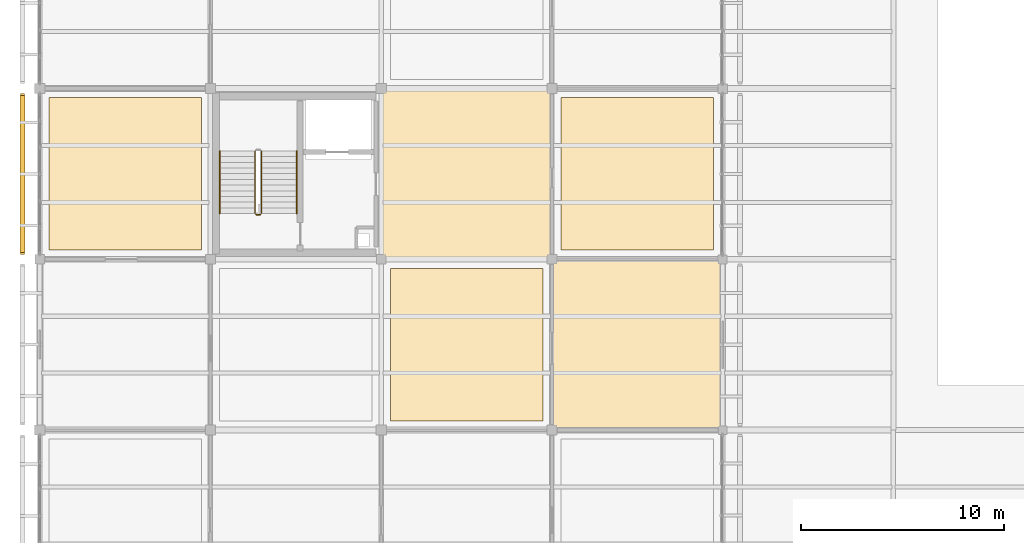
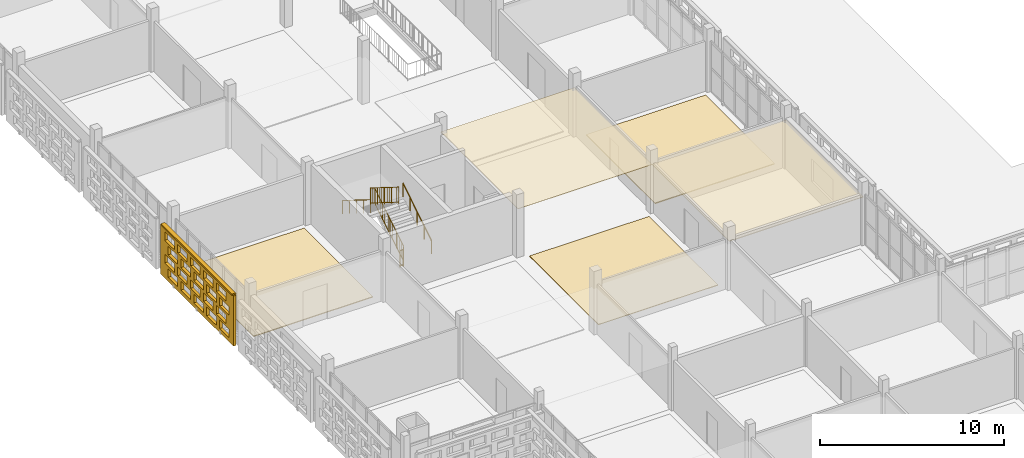
# One storey, part 121 of 166: 6 coverings, 5 railings, 1 shading device, 20 openings.
"""IFC4 building model written with IfcOpenShell, lengths in metres."""

from ifc_helpers import new_model, si_unit, direction, frame, frame_2d, origin, origin_2d, place, context, subcontext, project, spatial, rectangle, circle, extrude, material, layer, layer_set, type_object, element, save


model = new_model("IFC4")

# Units and contexts
model_context = context("Model", 3, precision=1e-05, world=origin(), true_north=direction((0.0, 1.0)))
body_context = subcontext(model_context, "Body", "Model", "MODEL_VIEW")
ifc_project = project(units=[si_unit("LENGTHUNIT", "METRE"), si_unit("AREAUNIT", "SQUARE_METRE"), si_unit("VOLUMEUNIT", "CUBIC_METRE"), si_unit("PLANEANGLEUNIT", "RADIAN"), si_unit("MASSUNIT", "GRAM", prefix="KILO")], contexts=[model_context])

# Site, building, storey
site_placement = place(None, origin())
site = spatial("IfcSite", under=ifc_project, at=site_placement, CompositionType="ELEMENT")
building_placement = place(site_placement, origin())
building = spatial("IfcBuilding", under=site, at=building_placement, Name="Varnapada Polytechnic", CompositionType="ELEMENT")
storey_placement = place(building_placement, frame((0.0, 0.0, 9.60009765625)))
storey = spatial("IfcBuildingStorey", under=building, at=storey_placement, Name="L02", CompositionType="ELEMENT", Elevation=9.60009765625)

# Coverings
ifc_material_1 = material(Name="Anti-Static Raised Laboratory Flooring")
ifc_layer_1 = layer(ifc_material_1, 0.06005859375)
ifc_layer_set_1 = layer_set([ifc_layer_1], Name="Anti-Static Raised Laboratory Flooring")
covering_type_1 = type_object("IfcCoveringType", Name="Floor Finish FLR-02", PredefinedType="FLOORING", material=ifc_layer_set_1)
covering_1_placement = place(storey_placement, frame((29.39990234375, 63.0, -0.000244140625), z_axis=(0.0, 0.0, 1.0), x_axis=(1.0, 0.0, 0.0)))
element("IfcCovering", 1, at=covering_1_placement, inside=storey, type_object=covering_type_1, Name="L02 floor finish panel (4,8)", PredefinedType="FLOORING", context=body_context, shape_type="SweptSolid", body=[
    extrude(rectangle(XDim=7.5, YDim=7.5, at=origin_2d()), origin(), (0.0, 0.0, 1.0), 0.06005859375),
])
ifc_material_2 = material(Name="End-Grain Timber Studio Block Flooring", Category="wood")
ifc_layer_2 = layer(ifc_material_2, 0.054931640625)
ifc_layer_set_2 = layer_set([ifc_layer_2], Name="End-Grain Timber Studio Block Flooring")
covering_type_2 = type_object("IfcCoveringType", Name="Floor Finish FLR-04", PredefinedType="FLOORING", material=ifc_layer_set_2)
covering_2_placement = place(storey_placement, frame((4.199951171875, 63.0, 0.0), z_axis=(0.0, 0.0, 1.0), x_axis=(1.0, 0.0, 0.0)))
element("IfcCovering", 2, at=covering_2_placement, inside=storey, type_object=covering_type_2, Name="L02 floor finish panel (1,8)", PredefinedType="FLOORING", context=body_context, shape_type="SweptSolid", body=[
    extrude(rectangle(XDim=7.5, YDim=7.5, at=origin_2d()), origin(), (0.0, 0.0, 1.0), 0.054931640625),
])
ifc_material_3 = material(Name="Acoustic Rubber Seminar Flooring")
ifc_layer_3 = layer(ifc_material_3, 0.0400390625)
ifc_layer_set_3 = layer_set([ifc_layer_3], Name="Acoustic Rubber Seminar Flooring")
covering_type_3 = type_object("IfcCoveringType", Name="Floor Finish FLR-06", PredefinedType="FLOORING", material=ifc_layer_set_3)
covering_3_placement = place(storey_placement, frame((21.0, 54.60009765625, 0.0), z_axis=(0.0, 0.0, 1.0), x_axis=(1.0, 0.0, 0.0)))
element("IfcCovering", 3, at=covering_3_placement, inside=storey, type_object=covering_type_3, Name="L02 floor finish panel (3,7)", PredefinedType="FLOORING", context=body_context, shape_type="SweptSolid", body=[
    extrude(rectangle(XDim=7.5, YDim=7.5, at=origin_2d()), origin(), (0.0, 0.0, 1.0), 0.0400390625),
])

# Railings
ifc_material_4 = material(Name="Brushed Stainless Steel 316", Category="steel")
railing_type_1 = type_object("IfcRailingType", Name="Stair Wall Handrail SHR-01", PredefinedType="HANDRAIL", material=ifc_material_4)
railing_1_placement = place(storey_placement, frame((12.64990234375, 61.050048828125, 0.1748046875)))
element("IfcRailing", 4, at=railing_1_placement, inside=storey, type_object=railing_type_1, Name="L02 ST-2 stair handrail 1", PredefinedType="HANDRAIL", context=body_context, shape_type="SweptSolid", body=[
    extrude(circle(Radius=0.02392578125, at=origin_2d()), frame((0.0, 0.0, 0.8759765625), z_axis=(0.0, 0.847979421464, 0.530029150871), x_axis=(-1.0, 0.0, 0.0)), (0.0, 0.0, 1.0), 3.632080078125),
    extrude(circle(Radius=0.02099609375, at=origin_2d()), origin(), (0.0, 0.0, 1.0), 0.851806640625),
    extrude(circle(Radius=0.02099609375, at=origin_2d()), frame((0.0, 0.77001953125, 0.481201171875)), (0.0, 0.0, 1.0), 0.851806640625),
    extrude(circle(Radius=0.02099609375, at=origin_2d()), frame((0.0, 1.5400390625, 0.96240234375)), (0.0, 0.0, 1.0), 0.851806640625),
    extrude(circle(Radius=0.02099609375, at=origin_2d()), frame((0.0, 2.309814453125, 1.44384765625)), (0.0, 0.0, 1.0), 0.851806640625),
    extrude(circle(Radius=0.02099609375, at=origin_2d()), frame((0.0, 3.079833984375, 1.925048828125)), (0.0, 0.0, 1.0), 0.851806640625),
])
railing_2_placement = place(storey_placement, frame((8.85009765625, 64.1298828125, 2.27490234375)))
element("IfcRailing", 5, at=railing_2_placement, inside=storey, type_object=railing_type_1, Name="L02 ST-2 stair handrail 2", PredefinedType="HANDRAIL", context=body_context, shape_type="SweptSolid", body=[
    extrude(circle(Radius=0.02392578125, at=origin_2d()), frame((0.0, 0.0, 0.8759765625), z_axis=(0.0, -0.847979421464, 0.530029150871), x_axis=(1.0, 0.0, 0.0)), (0.0, 0.0, 1.0), 3.632080078125),
    extrude(circle(Radius=0.02099609375, at=origin_2d()), origin(), (0.0, 0.0, 1.0), 0.851806640625),
    extrude(circle(Radius=0.02099609375, at=origin_2d()), frame((0.0, -0.77001953125, 0.481201171875)), (0.0, 0.0, 1.0), 0.851806640625),
    extrude(circle(Radius=0.02099609375, at=origin_2d()), frame((0.0, -1.5400390625, 0.96240234375)), (0.0, 0.0, 1.0), 0.851806640625),
    extrude(circle(Radius=0.02099609375, at=origin_2d()), frame((0.0, -2.309814453125, 1.44384765625)), (0.0, 0.0, 1.0), 0.851806640625),
    extrude(circle(Radius=0.02099609375, at=origin_2d()), frame((0.0, -3.079833984375, 1.925048828125)), (0.0, 0.0, 1.0), 0.851806640625),
])
railing_type_2 = type_object("IfcRailingType", Name="Stair Well Guard Rail SGR-01", PredefinedType="BALUSTRADE", material=ifc_material_4)
railing_3_placement = place(storey_placement, frame((10.89990234375, 61.050048828125, 0.1748046875)))
element("IfcRailing", 6, at=railing_3_placement, inside=storey, type_object=railing_type_2, Name="L02 ST-2 stair guard 1", PredefinedType="BALUSTRADE", context=body_context, shape_type="SweptSolid", body=[
    extrude(circle(Radius=0.02392578125, at=origin_2d()), frame((0.0, 0.0, 1.09619140625), z_axis=(0.0, 0.847979421464, 0.530029150871), x_axis=(-1.0, 0.0, 0.0)), (0.0, 0.0, 1.0), 3.632080078125),
    extrude(circle(Radius=0.02392578125, at=origin_2d()), frame((0.0, 0.0, 0.10009765625), z_axis=(0.0, 0.847979421464, 0.530029150871), x_axis=(-1.0, 0.0, 0.0)), (0.0, 0.0, 1.0), 3.632080078125),
    extrude(circle(Radius=0.02099609375, at=origin_2d()), origin(), (0.0, 0.0, 1.0), 1.072021484375),
    extrude(circle(Radius=0.02099609375, at=origin_2d()), frame((0.0, 0.77001953125, 0.481201171875)), (0.0, 0.0, 1.0), 1.072021484375),
    extrude(circle(Radius=0.02099609375, at=origin_2d()), frame((0.0, 1.5400390625, 0.96240234375)), (0.0, 0.0, 1.0), 1.072021484375),
    extrude(circle(Radius=0.02099609375, at=origin_2d()), frame((0.0, 2.309814453125, 1.44384765625)), (0.0, 0.0, 1.0), 1.072021484375),
    extrude(circle(Radius=0.02099609375, at=origin_2d()), frame((0.0, 3.079833984375, 1.925048828125)), (0.0, 0.0, 1.0), 1.072021484375),
    extrude(circle(Radius=0.010009765625, at=origin_2d()), frame((0.0, 0.205322265625, 0.228515625)), (0.0, 0.0, 1.0), 0.971923828125),
    extrude(circle(Radius=0.010009765625, at=origin_2d()), frame((0.0, 0.41064453125, 0.356689453125)), (0.0, 0.0, 1.0), 0.971923828125),
    extrude(circle(Radius=0.010009765625, at=origin_2d()), frame((0.0, 0.615966796875, 0.485107421875)), (0.0, 0.0, 1.0), 0.971923828125),
    extrude(circle(Radius=0.010009765625, at=origin_2d()), frame((0.0, 0.8212890625, 0.613525390625)), (0.0, 0.0, 1.0), 0.971923828125),
    extrude(circle(Radius=0.010009765625, at=origin_2d()), frame((0.0, 1.026611328125, 0.74169921875)), (0.0, 0.0, 1.0), 0.971923828125),
    extrude(circle(Radius=0.010009765625, at=origin_2d()), frame((0.0, 1.23193359375, 0.8701171875)), (0.0, 0.0, 1.0), 0.971923828125),
    extrude(circle(Radius=0.010009765625, at=origin_2d()), frame((0.0, 1.437255859375, 0.99853515625)), (0.0, 0.0, 1.0), 0.971923828125),
    extrude(circle(Radius=0.010009765625, at=origin_2d()), frame((0.0, 1.642578125, 1.126708984375)), (0.0, 0.0, 1.0), 0.971923828125),
    extrude(circle(Radius=0.010009765625, at=origin_2d()), frame((0.0, 1.847900390625, 1.255126953125)), (0.0, 0.0, 1.0), 0.971923828125),
    extrude(circle(Radius=0.010009765625, at=origin_2d()), frame((0.0, 2.05322265625, 1.383544921875)), (0.0, 0.0, 1.0), 0.971923828125),
    extrude(circle(Radius=0.010009765625, at=origin_2d()), frame((0.0, 2.258544921875, 1.51171875)), (0.0, 0.0, 1.0), 0.971923828125),
    extrude(circle(Radius=0.010009765625, at=origin_2d()), frame((0.0, 2.4638671875, 1.64013671875)), (0.0, 0.0, 1.0), 0.971923828125),
    extrude(circle(Radius=0.010009765625, at=origin_2d()), frame((0.0, 2.669189453125, 1.7685546875)), (0.0, 0.0, 1.0), 0.971923828125),
    extrude(circle(Radius=0.010009765625, at=origin_2d()), frame((0.0, 2.87451171875, 1.896728515625)), (0.0, 0.0, 1.0), 0.971923828125),
])
railing_4_placement = place(storey_placement, frame((10.60009765625, 64.1298828125, 2.27490234375)))
element("IfcRailing", 7, at=railing_4_placement, inside=storey, type_object=railing_type_2, Name="L02 ST-2 stair guard 3", PredefinedType="BALUSTRADE", context=body_context, shape_type="SweptSolid", body=[
    extrude(circle(Radius=0.02392578125, at=origin_2d()), frame((0.0, 0.0, 1.09619140625), z_axis=(0.0, -0.847979421464, 0.530029150871), x_axis=(1.0, 0.0, 0.0)), (0.0, 0.0, 1.0), 3.632080078125),
    extrude(circle(Radius=0.02392578125, at=origin_2d()), frame((0.0, 0.0, 0.10009765625), z_axis=(0.0, -0.847979421464, 0.530029150871), x_axis=(1.0, 0.0, 0.0)), (0.0, 0.0, 1.0), 3.632080078125),
    extrude(circle(Radius=0.02099609375, at=origin_2d()), origin(), (0.0, 0.0, 1.0), 1.072021484375),
    extrude(circle(Radius=0.02099609375, at=origin_2d()), frame((0.0, -0.77001953125, 0.481201171875)), (0.0, 0.0, 1.0), 1.072021484375),
    extrude(circle(Radius=0.02099609375, at=origin_2d()), frame((0.0, -1.5400390625, 0.96240234375)), (0.0, 0.0, 1.0), 1.072021484375),
    extrude(circle(Radius=0.02099609375, at=origin_2d()), frame((0.0, -2.309814453125, 1.44384765625)), (0.0, 0.0, 1.0), 1.072021484375),
    extrude(circle(Radius=0.02099609375, at=origin_2d()), frame((0.0, -3.079833984375, 1.925048828125)), (0.0, 0.0, 1.0), 1.072021484375),
    extrude(circle(Radius=0.010009765625, at=origin_2d()), frame((0.0, -0.205322265625, 0.228515625)), (0.0, 0.0, 1.0), 0.971923828125),
    extrude(circle(Radius=0.010009765625, at=origin_2d()), frame((0.0, -0.41064453125, 0.356689453125)), (0.0, 0.0, 1.0), 0.971923828125),
    extrude(circle(Radius=0.010009765625, at=origin_2d()), frame((0.0, -0.615966796875, 0.485107421875)), (0.0, 0.0, 1.0), 0.971923828125),
    extrude(circle(Radius=0.010009765625, at=origin_2d()), frame((0.0, -0.8212890625, 0.613525390625)), (0.0, 0.0, 1.0), 0.971923828125),
    extrude(circle(Radius=0.010009765625, at=origin_2d()), frame((0.0, -1.026611328125, 0.74169921875)), (0.0, 0.0, 1.0), 0.971923828125),
    extrude(circle(Radius=0.010009765625, at=origin_2d()), frame((0.0, -1.23193359375, 0.8701171875)), (0.0, 0.0, 1.0), 0.971923828125),
    extrude(circle(Radius=0.010009765625, at=origin_2d()), frame((0.0, -1.437255859375, 0.99853515625)), (0.0, 0.0, 1.0), 0.971923828125),
    extrude(circle(Radius=0.010009765625, at=origin_2d()), frame((0.0, -1.642578125, 1.126708984375)), (0.0, 0.0, 1.0), 0.971923828125),
    extrude(circle(Radius=0.010009765625, at=origin_2d()), frame((0.0, -1.847900390625, 1.255126953125)), (0.0, 0.0, 1.0), 0.971923828125),
    extrude(circle(Radius=0.010009765625, at=origin_2d()), frame((0.0, -2.05322265625, 1.383544921875)), (0.0, 0.0, 1.0), 0.971923828125),
    extrude(circle(Radius=0.010009765625, at=origin_2d()), frame((0.0, -2.258544921875, 1.51171875)), (0.0, 0.0, 1.0), 0.971923828125),
    extrude(circle(Radius=0.010009765625, at=origin_2d()), frame((0.0, -2.4638671875, 1.64013671875)), (0.0, 0.0, 1.0), 0.971923828125),
    extrude(circle(Radius=0.010009765625, at=origin_2d()), frame((0.0, -2.669189453125, 1.7685546875)), (0.0, 0.0, 1.0), 0.971923828125),
    extrude(circle(Radius=0.010009765625, at=origin_2d()), frame((0.0, -2.87451171875, 1.896728515625)), (0.0, 0.0, 1.0), 0.971923828125),
])
railing_5_placement = place(storey_placement, frame((10.85009765625, 61.0, 0.0)))
element("IfcRailing", 8, at=railing_5_placement, inside=storey, type_object=railing_type_2, Name="L02 ST-2 stair guard 4", PredefinedType="BALUSTRADE", context=body_context, shape_type="SweptSolid", body=[
    extrude(circle(Radius=0.02392578125, at=origin_2d()), frame((0.0, 0.0, 1.09619140625), z_axis=(-1.0, 0.0, 0.0), x_axis=(0.0, -1.0, 0.0)), (0.0, 0.0, 1.0), 0.2001953125),
    extrude(circle(Radius=0.02392578125, at=origin_2d()), frame((0.0, 0.0, 0.10009765625), z_axis=(-1.0, 0.0, 0.0), x_axis=(0.0, -1.0, 0.0)), (0.0, 0.0, 1.0), 0.2001953125),
    extrude(circle(Radius=0.02099609375, at=origin_2d()), origin(), (0.0, 0.0, 1.0), 1.072021484375),
    extrude(circle(Radius=0.02099609375, at=origin_2d()), frame((-0.2001953125, 0.0, 0.0)), (0.0, 0.0, 1.0), 1.072021484375),
])

# Coverings
ifc_material_5 = material(Name="Mineral Fibre Acoustic Ceiling Tile")
ifc_layer_4 = layer(ifc_material_5, 0.0400390625)
ifc_layer_set_4 = layer_set([ifc_layer_4], Name="Mineral Fibre Acoustic Ceiling Tile")
covering_type_4 = type_object("IfcCoveringType", Name="Suspended Ceiling CLG-01", PredefinedType="CEILING", material=ifc_layer_set_4)
covering_4_placement = place(storey_placement, frame((29.39990234375, 54.60009765625, 3.02978515625), z_axis=(0.0, 0.0, 1.0), x_axis=(1.0, 0.0, 0.0)))
element("IfcCovering", 9, at=covering_4_placement, inside=storey, type_object=covering_type_4, Name="L02 suspended acoustic ceiling (4,7)", PredefinedType="CEILING", context=body_context, shape_type="SweptSolid", body=[
    extrude(rectangle(XDim=8.419921875, YDim=8.419921875, at=origin_2d()), origin(), (0.0, 0.0, 1.0), 0.0400390625),
])
ifc_material_6 = material(Name="Moisture-Resistant Aluminum Baffle Ceiling", Category="aluminium")
ifc_layer_5 = layer(ifc_material_6, 0.030029296875)
ifc_layer_set_5 = layer_set([ifc_layer_5], Name="Moisture-Resistant Aluminum Baffle Ceiling")
covering_type_5 = type_object("IfcCoveringType", Name="Suspended Ceiling CLG-03", PredefinedType="CEILING", material=ifc_layer_set_5)
covering_5_placement = place(storey_placement, frame((21.0, 63.0, 3.03466796875), z_axis=(0.0, 0.0, 1.0), x_axis=(1.0, 0.0, 0.0)))
element("IfcCovering", 10, at=covering_5_placement, inside=storey, type_object=covering_type_5, Name="L02 suspended acoustic ceiling (3,8)", PredefinedType="CEILING", context=body_context, shape_type="SweptSolid", body=[
    extrude(rectangle(XDim=8.419921875, YDim=8.419921875, at=origin_2d()), origin(), (0.0, 0.0, 1.0), 0.030029296875),
])

# Covering, openings
ifc_material_7 = material(Name="Earth-toned architectural terracotta screen block", Category="masonry")
ifc_layer_6 = layer(ifc_material_7, 0.1201171875)
ifc_layer_set_6 = layer_set([ifc_layer_6], Name="Earth-toned architectural terracotta screen block")
covering_type_6 = type_object("IfcCoveringType", Name="Terracotta Screen Cladding CLD-01", PredefinedType="CLADDING", material=ifc_layer_set_6)
covering_6_placement = place(storey_placement, frame((-0.85009765625, 59.0400390625, 0.0), z_axis=(0.0, 0.0, 1.0), x_axis=(0.0, 1.0, 0.0)))
covering_6 = element("IfcCovering", 11, at=covering_6_placement, inside=storey, type_object=covering_type_6, Name="L02 perforated terracotta block screen (4)", PredefinedType="CLADDING", context=body_context, shape_type="SweptSolid", body=[
    extrude(rectangle(XDim=7.909912109375, YDim=0.179931640625, at=frame_2d((3.955078125, 0.0))), origin(), (0.0, 0.0, 1.0), 3.31982421875),
])
opening_1_placement = place(covering_6_placement, frame((0.455078125, 0.0, 0.265625)))
element("IfcOpeningElement", 12, at=opening_1_placement, cuts=covering_6, Name="Screen perforation TBS-L02-003.1", PredefinedType="OPENING", context=body_context, shape_type="SweptSolid", body=[
    extrude(rectangle(XDim=1.0400390625, YDim=0.5810546875, at=frame_2d((0.52001953125, 0.29052734375))), frame((0.0, 0.099853515625, 0.0), z_axis=(0.0, -1.0, 0.0), x_axis=(1.0, 0.0, 0.0)), (0.0, 0.0, 1.0), 0.199951171875),
])
opening_2_placement = place(covering_6_placement, frame((1.85498046875, 0.0, 0.265625)))
element("IfcOpeningElement", 13, at=opening_2_placement, cuts=covering_6, Name="Screen perforation TBS-L02-003.2", PredefinedType="OPENING", context=body_context, shape_type="SweptSolid", body=[
    extrude(rectangle(XDim=1.0400390625, YDim=0.5810546875, at=frame_2d((0.52001953125, 0.29052734375))), frame((0.0, 0.099853515625, 0.0), z_axis=(0.0, -1.0, 0.0), x_axis=(1.0, 0.0, 0.0)), (0.0, 0.0, 1.0), 0.199951171875),
])
opening_3_placement = place(covering_6_placement, frame((3.2548828125, 0.0, 0.265625)))
element("IfcOpeningElement", 14, at=opening_3_placement, cuts=covering_6, Name="Screen perforation TBS-L02-003.3", PredefinedType="OPENING", context=body_context, shape_type="SweptSolid", body=[
    extrude(rectangle(XDim=1.0400390625, YDim=0.5810546875, at=frame_2d((0.52001953125, 0.29052734375))), frame((0.0, 0.099853515625, 0.0), z_axis=(0.0, -1.0, 0.0), x_axis=(1.0, 0.0, 0.0)), (0.0, 0.0, 1.0), 0.199951171875),
])
opening_4_placement = place(covering_6_placement, frame((4.655029296875, 0.0, 0.265625)))
element("IfcOpeningElement", 15, at=opening_4_placement, cuts=covering_6, Name="Screen perforation TBS-L02-003.4", PredefinedType="OPENING", context=body_context, shape_type="SweptSolid", body=[
    extrude(rectangle(XDim=1.0400390625, YDim=0.5810546875, at=frame_2d((0.52001953125, 0.29052734375))), frame((0.0, 0.099853515625, 0.0), z_axis=(0.0, -1.0, 0.0), x_axis=(1.0, 0.0, 0.0)), (0.0, 0.0, 1.0), 0.199951171875),
])
opening_5_placement = place(covering_6_placement, frame((6.054931640625, 0.0, 0.265625)))
element("IfcOpeningElement", 16, at=opening_5_placement, cuts=covering_6, Name="Screen perforation TBS-L02-003.5", PredefinedType="OPENING", context=body_context, shape_type="SweptSolid", body=[
    extrude(rectangle(XDim=1.0400390625, YDim=0.5810546875, at=frame_2d((0.52001953125, 0.29052734375))), frame((0.0, 0.099853515625, 0.0), z_axis=(0.0, -1.0, 0.0), x_axis=(1.0, 0.0, 0.0)), (0.0, 0.0, 1.0), 0.199951171875),
])
opening_6_placement = place(covering_6_placement, frame((0.81494140625, 0.0, 1.0126953125)))
element("IfcOpeningElement", 17, at=opening_6_placement, cuts=covering_6, Name="Screen perforation TBS-L02-003.6", PredefinedType="OPENING", context=body_context, shape_type="SweptSolid", body=[
    extrude(rectangle(XDim=1.0400390625, YDim=0.5810546875, at=frame_2d((0.52001953125, 0.29052734375))), frame((0.0, 0.099853515625, 0.0), z_axis=(0.0, -1.0, 0.0), x_axis=(1.0, 0.0, 0.0)), (0.0, 0.0, 1.0), 0.199951171875),
])
opening_7_placement = place(covering_6_placement, frame((2.215087890625, 0.0, 1.0126953125)))
element("IfcOpeningElement", 18, at=opening_7_placement, cuts=covering_6, Name="Screen perforation TBS-L02-003.7", PredefinedType="OPENING", context=body_context, shape_type="SweptSolid", body=[
    extrude(rectangle(XDim=1.0400390625, YDim=0.5810546875, at=frame_2d((0.52001953125, 0.29052734375))), frame((0.0, 0.099853515625, 0.0), z_axis=(0.0, -1.0, 0.0), x_axis=(1.0, 0.0, 0.0)), (0.0, 0.0, 1.0), 0.199951171875),
])
opening_8_placement = place(covering_6_placement, frame((3.614990234375, 0.0, 1.0126953125)))
element("IfcOpeningElement", 19, at=opening_8_placement, cuts=covering_6, Name="Screen perforation TBS-L02-003.8", PredefinedType="OPENING", context=body_context, shape_type="SweptSolid", body=[
    extrude(rectangle(XDim=1.0400390625, YDim=0.5810546875, at=frame_2d((0.52001953125, 0.29052734375))), frame((0.0, 0.099853515625, 0.0), z_axis=(0.0, -1.0, 0.0), x_axis=(1.0, 0.0, 0.0)), (0.0, 0.0, 1.0), 0.199951171875),
])
opening_9_placement = place(covering_6_placement, frame((5.014892578125, 0.0, 1.0126953125)))
element("IfcOpeningElement", 20, at=opening_9_placement, cuts=covering_6, Name="Screen perforation TBS-L02-003.9", PredefinedType="OPENING", context=body_context, shape_type="SweptSolid", body=[
    extrude(rectangle(XDim=1.0400390625, YDim=0.5810546875, at=frame_2d((0.52001953125, 0.29052734375))), frame((0.0, 0.099853515625, 0.0), z_axis=(0.0, -1.0, 0.0), x_axis=(1.0, 0.0, 0.0)), (0.0, 0.0, 1.0), 0.199951171875),
])
opening_10_placement = place(covering_6_placement, frame((6.4150390625, 0.0, 1.0126953125)))
element("IfcOpeningElement", 21, at=opening_10_placement, cuts=covering_6, Name="Screen perforation TBS-L02-003.10", PredefinedType="OPENING", context=body_context, shape_type="SweptSolid", body=[
    extrude(rectangle(XDim=1.0400390625, YDim=0.5810546875, at=frame_2d((0.52001953125, 0.29052734375))), frame((0.0, 0.099853515625, 0.0), z_axis=(0.0, -1.0, 0.0), x_axis=(1.0, 0.0, 0.0)), (0.0, 0.0, 1.0), 0.199951171875),
])
opening_11_placement = place(covering_6_placement, frame((0.455078125, 0.0, 1.759521484375)))
element("IfcOpeningElement", 22, at=opening_11_placement, cuts=covering_6, Name="Screen perforation TBS-L02-003.11", PredefinedType="OPENING", context=body_context, shape_type="SweptSolid", body=[
    extrude(rectangle(XDim=1.0400390625, YDim=0.5810546875, at=frame_2d((0.52001953125, 0.29052734375))), frame((0.0, 0.099853515625, 0.0), z_axis=(0.0, -1.0, 0.0), x_axis=(1.0, 0.0, 0.0)), (0.0, 0.0, 1.0), 0.199951171875),
])
opening_12_placement = place(covering_6_placement, frame((1.85498046875, 0.0, 1.759521484375)))
element("IfcOpeningElement", 23, at=opening_12_placement, cuts=covering_6, Name="Screen perforation TBS-L02-003.12", PredefinedType="OPENING", context=body_context, shape_type="SweptSolid", body=[
    extrude(rectangle(XDim=1.0400390625, YDim=0.5810546875, at=frame_2d((0.52001953125, 0.29052734375))), frame((0.0, 0.099853515625, 0.0), z_axis=(0.0, -1.0, 0.0), x_axis=(1.0, 0.0, 0.0)), (0.0, 0.0, 1.0), 0.199951171875),
])
opening_13_placement = place(covering_6_placement, frame((3.2548828125, 0.0, 1.759521484375)))
element("IfcOpeningElement", 24, at=opening_13_placement, cuts=covering_6, Name="Screen perforation TBS-L02-003.13", PredefinedType="OPENING", context=body_context, shape_type="SweptSolid", body=[
    extrude(rectangle(XDim=1.0400390625, YDim=0.5810546875, at=frame_2d((0.52001953125, 0.29052734375))), frame((0.0, 0.099853515625, 0.0), z_axis=(0.0, -1.0, 0.0), x_axis=(1.0, 0.0, 0.0)), (0.0, 0.0, 1.0), 0.199951171875),
])
opening_14_placement = place(covering_6_placement, frame((4.655029296875, 0.0, 1.759521484375)))
element("IfcOpeningElement", 25, at=opening_14_placement, cuts=covering_6, Name="Screen perforation TBS-L02-003.14", PredefinedType="OPENING", context=body_context, shape_type="SweptSolid", body=[
    extrude(rectangle(XDim=1.0400390625, YDim=0.5810546875, at=frame_2d((0.52001953125, 0.29052734375))), frame((0.0, 0.099853515625, 0.0), z_axis=(0.0, -1.0, 0.0), x_axis=(1.0, 0.0, 0.0)), (0.0, 0.0, 1.0), 0.199951171875),
])
opening_15_placement = place(covering_6_placement, frame((6.054931640625, 0.0, 1.759521484375)))
element("IfcOpeningElement", 26, at=opening_15_placement, cuts=covering_6, Name="Screen perforation TBS-L02-003.15", PredefinedType="OPENING", context=body_context, shape_type="SweptSolid", body=[
    extrude(rectangle(XDim=1.0400390625, YDim=0.5810546875, at=frame_2d((0.52001953125, 0.29052734375))), frame((0.0, 0.099853515625, 0.0), z_axis=(0.0, -1.0, 0.0), x_axis=(1.0, 0.0, 0.0)), (0.0, 0.0, 1.0), 0.199951171875),
])
opening_16_placement = place(covering_6_placement, frame((0.81494140625, 0.0, 2.506591796875)))
element("IfcOpeningElement", 27, at=opening_16_placement, cuts=covering_6, Name="Screen perforation TBS-L02-003.16", PredefinedType="OPENING", context=body_context, shape_type="SweptSolid", body=[
    extrude(rectangle(XDim=1.0400390625, YDim=0.5810546875, at=frame_2d((0.52001953125, 0.29052734375))), frame((0.0, 0.099853515625, 0.0), z_axis=(0.0, -1.0, 0.0), x_axis=(1.0, 0.0, 0.0)), (0.0, 0.0, 1.0), 0.199951171875),
])
opening_17_placement = place(covering_6_placement, frame((2.215087890625, 0.0, 2.506591796875)))
element("IfcOpeningElement", 28, at=opening_17_placement, cuts=covering_6, Name="Screen perforation TBS-L02-003.17", PredefinedType="OPENING", context=body_context, shape_type="SweptSolid", body=[
    extrude(rectangle(XDim=1.0400390625, YDim=0.5810546875, at=frame_2d((0.52001953125, 0.29052734375))), frame((0.0, 0.099853515625, 0.0), z_axis=(0.0, -1.0, 0.0), x_axis=(1.0, 0.0, 0.0)), (0.0, 0.0, 1.0), 0.199951171875),
])
opening_18_placement = place(covering_6_placement, frame((3.614990234375, 0.0, 2.506591796875)))
element("IfcOpeningElement", 29, at=opening_18_placement, cuts=covering_6, Name="Screen perforation TBS-L02-003.18", PredefinedType="OPENING", context=body_context, shape_type="SweptSolid", body=[
    extrude(rectangle(XDim=1.0400390625, YDim=0.5810546875, at=frame_2d((0.52001953125, 0.29052734375))), frame((0.0, 0.099853515625, 0.0), z_axis=(0.0, -1.0, 0.0), x_axis=(1.0, 0.0, 0.0)), (0.0, 0.0, 1.0), 0.199951171875),
])
opening_19_placement = place(covering_6_placement, frame((5.014892578125, 0.0, 2.506591796875)))
element("IfcOpeningElement", 30, at=opening_19_placement, cuts=covering_6, Name="Screen perforation TBS-L02-003.19", PredefinedType="OPENING", context=body_context, shape_type="SweptSolid", body=[
    extrude(rectangle(XDim=1.0400390625, YDim=0.5810546875, at=frame_2d((0.52001953125, 0.29052734375))), frame((0.0, 0.099853515625, 0.0), z_axis=(0.0, -1.0, 0.0), x_axis=(1.0, 0.0, 0.0)), (0.0, 0.0, 1.0), 0.199951171875),
])
opening_20_placement = place(covering_6_placement, frame((6.4150390625, 0.0, 2.506591796875)))
element("IfcOpeningElement", 31, at=opening_20_placement, cuts=covering_6, Name="Screen perforation TBS-L02-003.20", PredefinedType="OPENING", context=body_context, shape_type="SweptSolid", body=[
    extrude(rectangle(XDim=1.0400390625, YDim=0.5810546875, at=frame_2d((0.52001953125, 0.29052734375))), frame((0.0, 0.099853515625, 0.0), z_axis=(0.0, -1.0, 0.0), x_axis=(1.0, 0.0, 0.0)), (0.0, 0.0, 1.0), 0.199951171875),
])

# Shading device
ifc_layer_7 = layer(ifc_material_7, 0.179931640625)
ifc_layer_set_7 = layer_set([ifc_layer_7], Name="Earth-toned architectural terracotta screen block")
shading_device_type = type_object("IfcShadingDeviceType", Name="Terracotta Screen SCR-01", PredefinedType="USERDEFINED", material=ifc_layer_set_7)
shading_device_placement = place(storey_placement, frame((-0.85009765625, 62.9951171875, 3.309814453125), z_axis=(0.0, 0.0, 1.0), x_axis=(0.0, 1.0, 0.0)))
element("IfcShadingDevice", 32, at=shading_device_placement, inside=storey, type_object=shading_device_type, Name="L02 perforated terracotta screen hood 234", ObjectType="SCREEN", PredefinedType="USERDEFINED", context=body_context, shape_type="SweptSolid", body=[
    extrude(rectangle(XDim=7.7099609375, YDim=0.239990234375, at=origin_2d()), origin(), (0.0, 0.0, 1.0), 0.10009765625),
])

save(model, "model.ifc")
